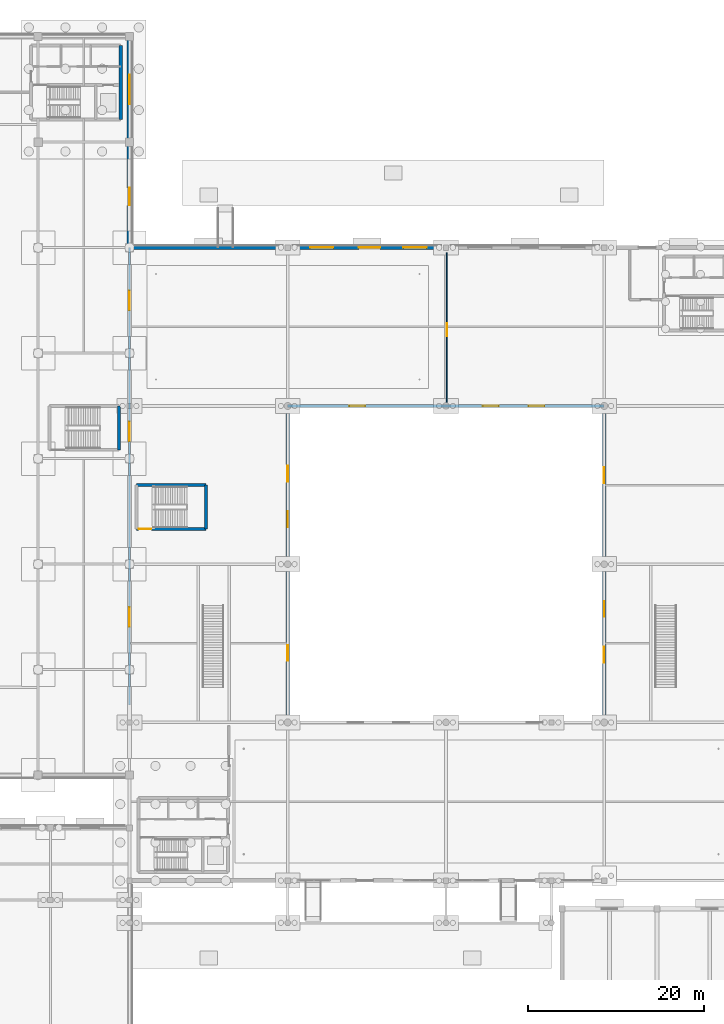
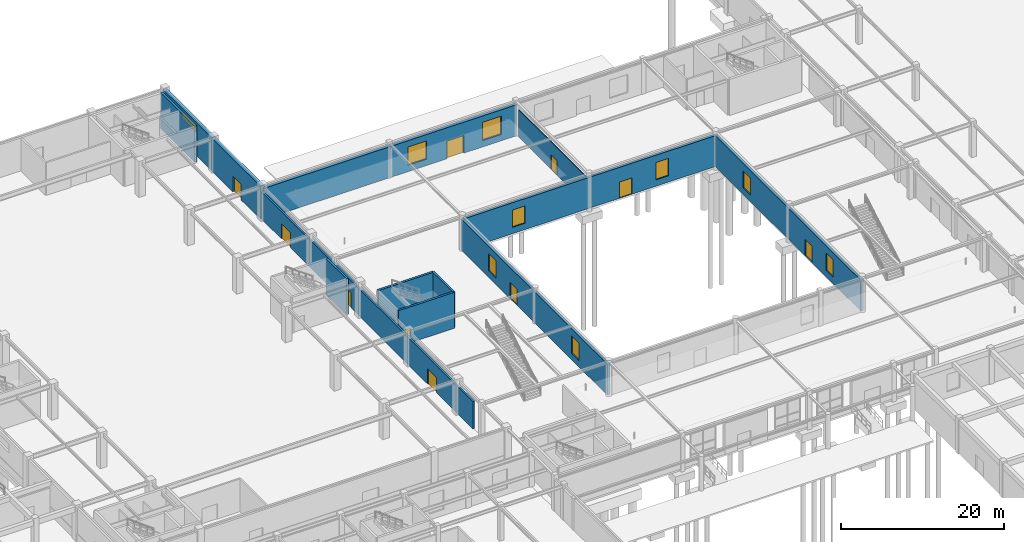
# One storey, part 28 of 53: 14 walls, 10 doors, 9 windows, 19 openings.
"""IFC4 building model written with IfcOpenShell, lengths in metres."""

import ifcopenshell
import ifcopenshell.guid

model = None  # the IFC model being written
_history = None  # IfcOwnerHistory: only IFC2X3 demands one
_inside = {}  # id of a spatial element -> (the spatial element, [elements in it])
_under = {}  # id of a project, library or spatial element -> (it, [spatial elements below it])
_declared = {}  # id of a project -> (the project, [libraries it declares])
_typed = {}  # id of a type object -> (the type object, [elements of that type])
_made_of = {}  # id of a material, layer set ... -> (it, [elements and type objects made of it])


def new_model(schema):
    """Start an empty IFC model of exactly this schema.

    Asked for "IFC4X3", IfcOpenShell would pick the latest addendum, in which some entities
    have other attributes; the version numbers below select the first issue.
    IFC2X3 requires an IfcOwnerHistory on every rooted entity: one is made here for all.
    """
    global model, _history
    if schema == "IFC4X3":
        model = ifcopenshell.file(schema_version=(4, 3, 0, 0))
    else:
        model = ifcopenshell.file(schema=schema)
    _inside.clear()
    _under.clear()
    _declared.clear()
    _typed.clear()
    _made_of.clear()
    _history = None
    if model.schema == "IFC2X3":
        org = make("IfcOrganization", Name="unknown")
        user = make(
            "IfcPersonAndOrganization",
            ThePerson=make("IfcPerson", FamilyName="unknown"),
            TheOrganization=org,
        )
        app = make(
            "IfcApplication",
            ApplicationDeveloper=org,
            Version="unknown",
            ApplicationFullName="unknown",
            ApplicationIdentifier="unknown",
        )
        _history = make(
            "IfcOwnerHistory",
            OwningUser=user,
            OwningApplication=app,
            ChangeAction="ADDED",
            CreationDate=0,
        )
    return model


def make(cls, **values):
    """One entity of the class cls with the attributes given. An attribute that is None is left unset."""
    return model.create_entity(
        cls, **{name: value for name, value in values.items() if value is not None}
    )


def rooted(cls, **values):
    """An entity with a GlobalId (a new one), such as an element, a storey or a relation."""
    return make(cls, GlobalId=ifcopenshell.guid.new(), OwnerHistory=_history, **values)


def si_unit(unit_type, name, prefix=None):
    """IfcSIUnit, for example si_unit("LENGTHUNIT", "METRE", prefix="MILLI")."""
    return make("IfcSIUnit", UnitType=unit_type, Prefix=prefix, Name=name)


def derived_unit(unit_type, elements):
    """IfcDerivedUnit: a product of units, each with its exponent."""
    return make(
        "IfcDerivedUnit",
        Elements=[
            make("IfcDerivedUnitElement", Unit=unit, Exponent=power)
            for unit, power in elements
        ],
        UnitType=unit_type,
    )


def assignment(units):
    """IfcUnitAssignment: the units of a project."""
    return None if units is None else make("IfcUnitAssignment", Units=units)


def point(xyz):
    """IfcCartesianPoint."""
    return None if xyz is None else make("IfcCartesianPoint", Coordinates=xyz)


def direction(xyz):
    """IfcDirection."""
    return None if xyz is None else make("IfcDirection", DirectionRatios=xyz)


def frame(location, z_axis=None, x_axis=None):
    """IfcAxis2Placement3D, a coordinate frame: its origin and axes. An axis left out is left unset."""
    return make(
        "IfcAxis2Placement3D",
        Location=point(location),
        Axis=direction(z_axis),
        RefDirection=direction(x_axis),
    )


def frame_2d(location, x_axis=None):
    """IfcAxis2Placement2D, a coordinate frame in the plane: its origin and x axis."""
    return make(
        "IfcAxis2Placement2D", Location=point(location), RefDirection=direction(x_axis)
    )


def origin():
    """The frame at (0, 0, 0) with its axes left unset."""
    return frame((0.0, 0.0, 0.0))


def place(relative_to, where):
    """IfcLocalPlacement: puts the frame where relative to a parent placement (None: the world)."""
    return make(
        "IfcLocalPlacement", PlacementRelTo=relative_to, RelativePlacement=where
    )


def context(
    kind, dimensions, precision=None, world=None, true_north=None, identifier=None
):
    """IfcGeometricRepresentationContext, for example the 3D "Model" context."""
    return make(
        "IfcGeometricRepresentationContext",
        ContextIdentifier=identifier,
        ContextType=kind,
        CoordinateSpaceDimension=dimensions,
        Precision=precision,
        WorldCoordinateSystem=world,
        TrueNorth=true_north,
    )


def subcontext(parent, identifier, kind, view, scale=None):
    """IfcGeometricRepresentationSubContext, for example "Body" below "Model"."""
    return make(
        "IfcGeometricRepresentationSubContext",
        ContextIdentifier=identifier,
        ContextType=kind,
        ParentContext=parent,
        TargetScale=scale,
        TargetView=view,
    )


def project(units=None, contexts=None):
    """IfcProject with its units and contexts."""
    return rooted(
        "IfcProject",
        Name="project",
        RepresentationContexts=contexts,
        UnitsInContext=assignment(units),
    )


def spatial(cls, under=None, at=None, **own):
    """A site, building, storey or space (cls), placed at a placement, below another one or the project."""
    s = rooted(cls, ObjectPlacement=at, **own)
    if under is not None:
        _under.setdefault(under.id(), (under, []))[1].append(s)
    return s


def profile(cls, at=None, kind="AREA", **sizes):
    """A parametric profile (cls). Its sizes go by their IFC names, for example OverallWidth=200.0."""
    return make(cls, ProfileType=kind, Position=at, **sizes)


def rectangle(**sizes):
    """IfcRectangleProfileDef."""
    return profile("IfcRectangleProfileDef", **sizes)


def extrude(swept, where, along, depth):
    """IfcExtrudedAreaSolid: the profile swept, set in the frame where, extruded along a direction by depth."""
    return make(
        "IfcExtrudedAreaSolid",
        SweptArea=swept,
        Position=where,
        ExtrudedDirection=direction(along),
        Depth=depth,
    )


def shape(context_of_items, identifier, shape_type, items):
    """IfcShapeRepresentation: the items that make up one representation, for example the "Body"."""
    return make(
        "IfcShapeRepresentation",
        ContextOfItems=context_of_items,
        RepresentationIdentifier=identifier,
        RepresentationType=shape_type,
        Items=items,
    )


def material(Name=None, Category=None):
    """IfcMaterial."""
    return make("IfcMaterial", Name=Name, Category=Category)


def layer(
    of_material, thickness, ventilated=None, Name=None, Category=None, Priority=None
):
    """IfcMaterialLayer: one layer of a wall or slab, of a material (None: an air gap)."""
    return make(
        "IfcMaterialLayer",
        Material=of_material,
        LayerThickness=thickness,
        IsVentilated=ventilated,
        Name=Name,
        Category=Category,
        Priority=Priority,
    )


def layer_set(layers, Name=None):
    """IfcMaterialLayerSet."""
    return make("IfcMaterialLayerSet", MaterialLayers=layers, LayerSetName=Name)


def made_of(thing, what):
    """Note that an element or type object is made of a material, layer set ...; save() writes the relation."""
    if what is not None:
        _made_of.setdefault(what.id(), (what, []))[1].append(thing)
    return thing


def type_object(cls, material=None, **own):
    """A type object (cls), such as IfcWallType, which elements share."""
    return made_of(rooted(cls, **own), material)


def element(
    cls,
    number,
    at=None,
    inside=None,
    cuts=None,
    type_object=None,
    material=None,
    context=None,
    identifier="Body",
    shape_type=None,
    held_by="IfcProductDefinitionShape",
    body=None,
    shapes=None,
    **own,
):
    """One element of the class cls, such as IfcWall. Its Tag is "e" and its number.

    at: its placement. inside: the storey or other place that contains it. cuts: it is an
    opening in that element (IfcRelVoidsElement). A single representation is given by context,
    identifier, shape_type and body (its items); several are given by shapes. held_by: the class
    of the entity that holds the representations. save() writes the other relations.
    """
    e = rooted(cls, Tag="e%d" % number, ObjectPlacement=at, **own)
    if body is not None:
        shapes = [shape(context, identifier, shape_type, body)]
    if shapes is not None:
        e.Representation = make(held_by, Representations=shapes)
    if inside is not None:
        _inside.setdefault(inside.id(), (inside, []))[1].append(e)
    if cuts is not None:
        rooted(
            "IfcRelVoidsElement", RelatingBuildingElement=cuts, RelatedOpeningElement=e
        )
    if type_object is not None:
        _typed.setdefault(type_object.id(), (type_object, []))[1].append(e)
    return made_of(e, material)


def fill(opening, filler):
    """IfcRelFillsElement: the door or window that sits in an opening."""
    return rooted(
        "IfcRelFillsElement",
        RelatingOpeningElement=opening,
        RelatedBuildingElement=filler,
    )


def aggregate(whole, parts):
    """IfcRelAggregates: a whole, such as a stair, and the parts it consists of."""
    return rooted("IfcRelAggregates", RelatingObject=whole, RelatedObjects=parts)


def save(model, path):
    """Write the relations noted so far, then the file.

    IfcRelAggregates (storeys below a building ...), IfcRelContainedInSpatialStructure (elements
    in a storey), IfcRelDefinesByType, IfcRelAssociatesMaterial and IfcRelDeclares: one each for
    every whole, place, type object, material and project.
    """
    for whole, parts in _under.values():
        aggregate(whole, parts)
    for where, things in _inside.values():
        rooted(
            "IfcRelContainedInSpatialStructure",
            RelatedElements=things,
            RelatingStructure=where,
        )
    for kind, things in _typed.values():
        rooted("IfcRelDefinesByType", RelatedObjects=things, RelatingType=kind)
    for what, things in _made_of.values():
        rooted("IfcRelAssociatesMaterial", RelatedObjects=things, RelatingMaterial=what)
    for by, libraries in _declared.values():
        rooted("IfcRelDeclares", RelatingContext=by, RelatedDefinitions=libraries)
    model.write(path)


model = new_model("IFC4")

# Units and contexts
model_context = context("Model", 3, precision=1e-05, world=origin(), true_north=direction((0.0, 1.0)))
body_context = subcontext(model_context, "Body", "Model", "MODEL_VIEW")
ifc_project = project(units=[si_unit("LENGTHUNIT", "METRE"), si_unit("AREAUNIT", "SQUARE_METRE"), si_unit("VOLUMEUNIT", "CUBIC_METRE"), si_unit("PLANEANGLEUNIT", "RADIAN"), si_unit("MASSUNIT", "GRAM", prefix="KILO"), derived_unit("THERMALTRANSMITTANCEUNIT", [(si_unit("POWERUNIT", "WATT"), 1), (si_unit("LENGTHUNIT", "METRE"), -2), (si_unit("THERMODYNAMICTEMPERATUREUNIT", "KELVIN"), -1)])], contexts=[model_context])

# Site, building, storey
site_placement = place(None, origin())
site = spatial("IfcSite", under=ifc_project, at=site_placement, CompositionType="ELEMENT")
building_placement = place(site_placement, origin())
building = spatial("IfcBuilding", under=site, at=building_placement, Name="Almenara Railside Exhibition Hall", CompositionType="ELEMENT")
storey_placement = place(building_placement, origin())
storey = spatial("IfcBuildingStorey", under=building, at=storey_placement, Name="L00", CompositionType="ELEMENT", Elevation=0.0)

# Walls
ifc_material_1 = material(Name="Concrete C35/45", Category="concrete")
ifc_layer_1 = layer(ifc_material_1, 0.35009765625, Name="Concrete C35/45")
ifc_layer_set_1 = layer_set([ifc_layer_1], Name="Concrete C35/45")
wall_type_1 = type_object("IfcWallType", Name="Core Coupled Shear Wall 350mm C35/45", PredefinedType="SHEAR", material=ifc_layer_set_1)
wall_1_placement = place(storey_placement, frame((65.0, 122.60009765625, 0.0), z_axis=(0.0, 0.0, 1.0), x_axis=(0.0, 1.0, 0.0)))
element("IfcWall", 1, at=wall_1_placement, inside=storey, type_object=wall_type_1, Name="Interior wall 0031", PredefinedType="SHEAR", context=body_context, shape_type="SweptSolid", body=[
    extrude(rectangle(XDim=8.39990234375, YDim=0.35009765625, at=frame_2d((4.199951171875, 0.0))), origin(), (0.0, 0.0, 1.0), 5.39990234375),
])
ifc_material_2 = material(Name="Ochre-white lime-rendered masonry over Concrete C35/45", Category="masonry")
ifc_layer_2 = layer(ifc_material_2, 0.449951171875, Name="Ochre-white lime-rendered masonry over Concrete C35/45")
ifc_layer_set_2 = layer_set([ifc_layer_2], Name="Ochre-white lime-rendered masonry over Concrete C35/45")
wall_type_2 = type_object("IfcWallType", Name="Exterior Civic Stucco Wall 450mm C35/45", PredefinedType="SOLIDWALL", material=ifc_layer_set_2)
wall_2_placement = place(storey_placement, frame((84.0, 108.0, 0.0), z_axis=(0.0, 0.0, 1.0), x_axis=(-1.0, 0.0, 0.0)))
element("IfcWall", 2, at=wall_2_placement, inside=storey, type_object=wall_type_2, Name="Exterior wall 0142", PredefinedType="SOLIDWALL", context=body_context, shape_type="SweptSolid", body=[
    extrude(rectangle(XDim=18.0, YDim=0.449951171875, at=frame_2d((9.0, 0.0))), origin(), (0.0, 0.0, 1.0), 4.64990234375),
])

# Wall, openings, windows, door
wall_3_placement = place(storey_placement, frame((102.0, 108.0, 0.0), z_axis=(0.0, 0.0, 1.0), x_axis=(-1.0, 0.0, 0.0)))
wall_3 = element("IfcWall", 3, at=wall_3_placement, inside=storey, type_object=wall_type_2, Name="Exterior wall 0148", PredefinedType="SOLIDWALL", context=body_context, shape_type="SweptSolid", body=[
    extrude(rectangle(XDim=18.0, YDim=0.449951171875, at=frame_2d((9.0, 0.0))), origin(), (0.0, 0.0, 1.0), 4.64990234375),
])
opening_1_placement = place(wall_3_placement, frame((7.5, 0.0, 0.0)))
opening_1 = element("IfcOpeningElement", 4, at=opening_1_placement, cuts=wall_3, Name="Opening ED-21", PredefinedType="OPENING", context=body_context, shape_type="SweptSolid", body=[
    extrude(rectangle(XDim=2.39990234375, YDim=2.64990234375, at=frame_2d((1.199951171875, 1.324951171875))), frame((0.0, 0.23486328125, 0.0), z_axis=(0.0, -1.0, 0.0), x_axis=(1.0, 0.0, 0.0)), (0.0, 0.0, 1.0), 0.469970703125),
])
opening_2_placement = place(wall_3_placement, frame((2.199951171875, 0.0, 0.949951171875)))
opening_2 = element("IfcOpeningElement", 5, at=opening_2_placement, cuts=wall_3, Name="Opening W-18", PredefinedType="OPENING", context=body_context, shape_type="SweptSolid", body=[
    extrude(rectangle(XDim=2.64990234375, YDim=2.75, at=frame_2d((1.324951171875, 1.375))), frame((0.0, 0.23486328125, 0.0), z_axis=(0.0, -1.0, 0.0), x_axis=(1.0, 0.0, 0.0)), (0.0, 0.0, 1.0), 0.469970703125),
])
opening_3_placement = place(wall_3_placement, frame((12.800048828125, 0.0, 0.949951171875)))
opening_3 = element("IfcOpeningElement", 6, at=opening_3_placement, cuts=wall_3, Name="Opening W-18", PredefinedType="OPENING", context=body_context, shape_type="SweptSolid", body=[
    extrude(rectangle(XDim=2.64990234375, YDim=2.75, at=frame_2d((1.324951171875, 1.375))), frame((0.0, 0.23486328125, 0.0), z_axis=(0.0, -1.0, 0.0), x_axis=(1.0, 0.0, 0.0)), (0.0, 0.0, 1.0), 0.469970703125),
])
ifc_material_3 = material(Name="Bronze-anodised aluminium and low-E double glazing", Category="aluminium")
window_type_1 = type_object("IfcWindowType", Name="Cafe Conservatory Window 2650x2750", PartitioningType="TRIPLE_PANEL_VERTICAL", PredefinedType="WINDOW", material=ifc_material_3)
window_1_placement = place(opening_2_placement, origin())
window_1 = element("IfcWindow", 7, at=window_1_placement, inside=storey, type_object=window_type_1, Name="Window 0029", OverallHeight=2.75, OverallWidth=2.64990234375, PartitioningType="TRIPLE_PANEL_VERTICAL", PredefinedType="WINDOW", context=body_context, shape_type="SweptSolid", body=[
    extrude(rectangle(XDim=2.64990234375, YDim=2.75, at=frame_2d((1.324951171875, 1.375))), frame((0.0, 0.030029296875, 0.0), z_axis=(0.0, -1.0, 0.0), x_axis=(1.0, 0.0, 0.0)), (0.0, 0.0, 1.0), 0.06005859375),
])
fill(opening_2, window_1)
window_2_placement = place(opening_3_placement, origin())
window_2 = element("IfcWindow", 8, at=window_2_placement, inside=storey, type_object=window_type_1, Name="Window 0030", OverallHeight=2.75, OverallWidth=2.64990234375, PartitioningType="TRIPLE_PANEL_VERTICAL", PredefinedType="WINDOW", context=body_context, shape_type="SweptSolid", body=[
    extrude(rectangle(XDim=2.64990234375, YDim=2.75, at=frame_2d((1.324951171875, 1.375))), frame((0.0, 0.030029296875, 0.0), z_axis=(0.0, -1.0, 0.0), x_axis=(1.0, 0.0, 0.0)), (0.0, 0.0, 1.0), 0.06005859375),
])
fill(opening_3, window_2)
ifc_material_4 = material(Name="Bronze-anodised glazed entrance door")
door_type_1 = type_object("IfcDoorType", Name="Grand Civic Portal Double Exit Door 2400x2650", OperationType="NOTDEFINED", PredefinedType="DOOR", material=ifc_material_4)
door_1_placement = place(opening_1_placement, frame((2.39990234375, 0.0, 0.0), z_axis=(0.0, 0.0, 1.0), x_axis=(-1.0, 0.0, 0.0)))
door_1 = element("IfcDoor", 9, at=door_1_placement, inside=storey, type_object=door_type_1, Name="Exterior door ED-21", OperationType="DOUBLE_DOOR_SINGLE_SWING", OverallHeight=2.64990234375, OverallWidth=2.39990234375, PredefinedType="DOOR", context=body_context, shape_type="SweptSolid", body=[
    extrude(rectangle(XDim=2.39990234375, YDim=2.64990234375, at=frame_2d((1.199951171875, 1.324951171875))), frame((0.0, 0.02490234375, 0.0), z_axis=(0.0, -1.0, 0.0), x_axis=(1.0, 0.0, 0.0)), (0.0, 0.0, 1.0), 0.050048828125),
])
fill(opening_1, door_1)

# Wall, openings, door, windows
ifc_layer_3 = layer(ifc_material_2, 0.360107421875, Name="Ochre-white lime-rendered masonry over Concrete C35/45")
ifc_layer_set_3 = layer_set([ifc_layer_3], Name="Ochre-white lime-rendered masonry over Concrete C35/45")
wall_type_3 = type_object("IfcWallType", Name="Exterior Courtyard Galeria Wall 360mm C35/45", PredefinedType="SOLIDWALL", material=ifc_layer_set_3)
wall_4_placement = place(storey_placement, frame((120.0, 54.0, 0.0), z_axis=(0.0, 0.0, 1.0), x_axis=(0.0, 1.0, 0.0)))
wall_4 = element("IfcWall", 10, at=wall_4_placement, inside=storey, type_object=wall_type_3, Name="Exterior wall 0160", PredefinedType="SOLIDWALL", context=body_context, shape_type="SweptSolid", body=[
    extrude(rectangle(XDim=36.0, YDim=0.360107421875, at=frame_2d((18.0, 0.0))), origin(), (0.0, 0.0, 1.0), 4.64990234375),
])
opening_4_placement = place(wall_4_placement, frame((12.0, 0.0, 0.0)))
opening_4 = element("IfcOpeningElement", 11, at=opening_4_placement, cuts=wall_4, Name="Opening CD-02", PredefinedType="OPENING", context=body_context, shape_type="SweptSolid", body=[
    extrude(rectangle(XDim=1.800048828125, YDim=2.449951171875, at=frame_2d((0.89990234375, 1.22509765625))), frame((0.0, 0.18994140625, 0.0), z_axis=(0.0, -1.0, 0.0), x_axis=(1.0, 0.0, 0.0)), (0.0, 0.0, 1.0), 0.380126953125),
])
opening_5_placement = place(wall_4_placement, frame((6.800048828125, 0.0, 0.949951171875)))
opening_5 = element("IfcOpeningElement", 12, at=opening_5_placement, cuts=wall_4, Name="Opening W-05", PredefinedType="OPENING", context=body_context, shape_type="SweptSolid", body=[
    extrude(rectangle(XDim=1.800048828125, YDim=2.60009765625, at=frame_2d((0.89990234375, 1.300048828125))), frame((0.0, 0.18994140625, 0.0), z_axis=(0.0, -1.0, 0.0), x_axis=(1.0, 0.0, 0.0)), (0.0, 0.0, 1.0), 0.380126953125),
])
opening_6_placement = place(wall_4_placement, frame((27.199951171875, 0.0, 0.949951171875)))
opening_6 = element("IfcOpeningElement", 13, at=opening_6_placement, cuts=wall_4, Name="Opening W-05", PredefinedType="OPENING", context=body_context, shape_type="SweptSolid", body=[
    extrude(rectangle(XDim=1.800048828125, YDim=2.60009765625, at=frame_2d((0.89990234375, 1.300048828125))), frame((0.0, 0.18994140625, 0.0), z_axis=(0.0, -1.0, 0.0), x_axis=(1.0, 0.0, 0.0)), (0.0, 0.0, 1.0), 0.380126953125),
])
ifc_material_5 = material(Name="Bronze-anodised glazed courtyard door")
door_type_2 = type_object("IfcDoorType", Name="Courtyard Arcade Double Door 1800x2450", OperationType="NOTDEFINED", PredefinedType="DOOR", material=ifc_material_5)
door_2_placement = place(opening_4_placement, origin())
door_2 = element("IfcDoor", 14, at=door_2_placement, inside=storey, type_object=door_type_2, Name="Exterior door CD-02", OperationType="DOUBLE_DOOR_SINGLE_SWING", OverallHeight=2.449951171875, OverallWidth=1.800048828125, PredefinedType="DOOR", context=body_context, shape_type="SweptSolid", body=[
    extrude(rectangle(XDim=1.800048828125, YDim=2.449951171875, at=frame_2d((0.89990234375, 1.22509765625))), frame((0.0, 0.02490234375, 0.0), z_axis=(0.0, -1.0, 0.0), x_axis=(1.0, 0.0, 0.0)), (0.0, 0.0, 1.0), 0.050048828125),
])
fill(opening_4, door_2)
window_type_2 = type_object("IfcWindowType", Name="Courtyard Deep-Reveal Window 1800x2600", PartitioningType="DOUBLE_PANEL_VERTICAL", PredefinedType="WINDOW", material=ifc_material_3)
window_3_placement = place(opening_5_placement, origin())
window_3 = element("IfcWindow", 15, at=window_3_placement, inside=storey, type_object=window_type_2, Name="Window 0035", OverallHeight=2.60009765625, OverallWidth=1.800048828125, PartitioningType="DOUBLE_PANEL_VERTICAL", PredefinedType="WINDOW", context=body_context, shape_type="SweptSolid", body=[
    extrude(rectangle(XDim=1.800048828125, YDim=2.60009765625, at=frame_2d((0.89990234375, 1.300048828125))), frame((0.0, 0.030029296875, 0.0), z_axis=(0.0, -1.0, 0.0), x_axis=(1.0, 0.0, 0.0)), (0.0, 0.0, 1.0), 0.06005859375),
])
fill(opening_5, window_3)
window_4_placement = place(opening_6_placement, origin())
window_4 = element("IfcWindow", 16, at=window_4_placement, inside=storey, type_object=window_type_2, Name="Window 0036", OverallHeight=2.60009765625, OverallWidth=1.800048828125, PartitioningType="DOUBLE_PANEL_VERTICAL", PredefinedType="WINDOW", context=body_context, shape_type="SweptSolid", body=[
    extrude(rectangle(XDim=1.800048828125, YDim=2.60009765625, at=frame_2d((0.89990234375, 1.300048828125))), frame((0.0, 0.030029296875, 0.0), z_axis=(0.0, -1.0, 0.0), x_axis=(1.0, 0.0, 0.0)), (0.0, 0.0, 1.0), 0.06005859375),
])
fill(opening_6, window_4)

wall_5_placement = place(storey_placement, frame((120.0, 90.0, 0.0), z_axis=(0.0, 0.0, 1.0), x_axis=(-1.0, 0.0, 0.0)))
wall_5 = element("IfcWall", 17, at=wall_5_placement, inside=storey, type_object=wall_type_3, Name="Exterior wall 0162", PredefinedType="SOLIDWALL", context=body_context, shape_type="SweptSolid", body=[
    extrude(rectangle(XDim=36.0, YDim=0.360107421875, at=frame_2d((18.0, 0.0))), origin(), (0.0, 0.0, 1.0), 4.64990234375),
])
opening_7_placement = place(wall_5_placement, frame((12.0, 0.0, 0.0)))
opening_7 = element("IfcOpeningElement", 18, at=opening_7_placement, cuts=wall_5, Name="Opening CD-03", PredefinedType="OPENING", context=body_context, shape_type="SweptSolid", body=[
    extrude(rectangle(XDim=1.800048828125, YDim=2.449951171875, at=frame_2d((0.89990234375, 1.22509765625))), frame((0.0, 0.18994140625, 0.0), z_axis=(0.0, -1.0, 0.0), x_axis=(1.0, 0.0, 0.0)), (0.0, 0.0, 1.0), 0.380126953125),
])
opening_8_placement = place(wall_5_placement, frame((6.800048828125, 0.0, 0.949951171875)))
opening_8 = element("IfcOpeningElement", 19, at=opening_8_placement, cuts=wall_5, Name="Opening W-05", PredefinedType="OPENING", context=body_context, shape_type="SweptSolid", body=[
    extrude(rectangle(XDim=1.800048828125, YDim=2.60009765625, at=frame_2d((0.89990234375, 1.300048828125))), frame((0.0, 0.18994140625, 0.0), z_axis=(0.0, -1.0, 0.0), x_axis=(1.0, 0.0, 0.0)), (0.0, 0.0, 1.0), 0.380126953125),
])
opening_9_placement = place(wall_5_placement, frame((27.199951171875, 0.0, 0.949951171875)))
opening_9 = element("IfcOpeningElement", 20, at=opening_9_placement, cuts=wall_5, Name="Opening W-05", PredefinedType="OPENING", context=body_context, shape_type="SweptSolid", body=[
    extrude(rectangle(XDim=1.800048828125, YDim=2.60009765625, at=frame_2d((0.89990234375, 1.300048828125))), frame((0.0, 0.18994140625, 0.0), z_axis=(0.0, -1.0, 0.0), x_axis=(1.0, 0.0, 0.0)), (0.0, 0.0, 1.0), 0.380126953125),
])
door_3_placement = place(opening_7_placement, origin())
door_3 = element("IfcDoor", 21, at=door_3_placement, inside=storey, type_object=door_type_2, Name="Exterior door CD-03", OperationType="DOUBLE_DOOR_SINGLE_SWING", OverallHeight=2.449951171875, OverallWidth=1.800048828125, PredefinedType="DOOR", context=body_context, shape_type="SweptSolid", body=[
    extrude(rectangle(XDim=1.800048828125, YDim=2.449951171875, at=frame_2d((0.89990234375, 1.22509765625))), frame((0.0, 0.02490234375, 0.0), z_axis=(0.0, -1.0, 0.0), x_axis=(1.0, 0.0, 0.0)), (0.0, 0.0, 1.0), 0.050048828125),
])
fill(opening_7, door_3)
window_5_placement = place(opening_8_placement, origin())
window_5 = element("IfcWindow", 22, at=window_5_placement, inside=storey, type_object=window_type_2, Name="Window 0037", OverallHeight=2.60009765625, OverallWidth=1.800048828125, PartitioningType="DOUBLE_PANEL_VERTICAL", PredefinedType="WINDOW", context=body_context, shape_type="SweptSolid", body=[
    extrude(rectangle(XDim=1.800048828125, YDim=2.60009765625, at=frame_2d((0.89990234375, 1.300048828125))), frame((0.0, 0.030029296875, 0.0), z_axis=(0.0, -1.0, 0.0), x_axis=(1.0, 0.0, 0.0)), (0.0, 0.0, 1.0), 0.06005859375),
])
fill(opening_8, window_5)
window_6_placement = place(opening_9_placement, origin())
window_6 = element("IfcWindow", 23, at=window_6_placement, inside=storey, type_object=window_type_2, Name="Window 0038", OverallHeight=2.60009765625, OverallWidth=1.800048828125, PartitioningType="DOUBLE_PANEL_VERTICAL", PredefinedType="WINDOW", context=body_context, shape_type="SweptSolid", body=[
    extrude(rectangle(XDim=1.800048828125, YDim=2.60009765625, at=frame_2d((0.89990234375, 1.300048828125))), frame((0.0, 0.030029296875, 0.0), z_axis=(0.0, -1.0, 0.0), x_axis=(1.0, 0.0, 0.0)), (0.0, 0.0, 1.0), 0.06005859375),
])
fill(opening_9, window_6)

wall_6_placement = place(storey_placement, frame((84.0, 90.0, 0.0), z_axis=(0.0, 0.0, 1.0), x_axis=(0.0, -1.0, 0.0)))
wall_6 = element("IfcWall", 24, at=wall_6_placement, inside=storey, type_object=wall_type_3, Name="Exterior wall 0164", PredefinedType="SOLIDWALL", context=body_context, shape_type="SweptSolid", body=[
    extrude(rectangle(XDim=36.0, YDim=0.360107421875, at=frame_2d((18.0, 0.0))), origin(), (0.0, 0.0, 1.0), 4.64990234375),
])
opening_10_placement = place(wall_6_placement, frame((12.0, 0.0, 0.0)))
opening_10 = element("IfcOpeningElement", 25, at=opening_10_placement, cuts=wall_6, Name="Opening CD-04", PredefinedType="OPENING", context=body_context, shape_type="SweptSolid", body=[
    extrude(rectangle(XDim=1.800048828125, YDim=2.449951171875, at=frame_2d((0.89990234375, 1.22509765625))), frame((0.0, 0.18994140625, 0.0), z_axis=(0.0, -1.0, 0.0), x_axis=(1.0, 0.0, 0.0)), (0.0, 0.0, 1.0), 0.380126953125),
])
opening_11_placement = place(wall_6_placement, frame((6.800048828125, 0.0, 0.949951171875)))
opening_11 = element("IfcOpeningElement", 26, at=opening_11_placement, cuts=wall_6, Name="Opening W-05", PredefinedType="OPENING", context=body_context, shape_type="SweptSolid", body=[
    extrude(rectangle(XDim=1.800048828125, YDim=2.60009765625, at=frame_2d((0.89990234375, 1.300048828125))), frame((0.0, 0.18994140625, 0.0), z_axis=(0.0, -1.0, 0.0), x_axis=(1.0, 0.0, 0.0)), (0.0, 0.0, 1.0), 0.380126953125),
])
opening_12_placement = place(wall_6_placement, frame((27.199951171875, 0.0, 0.949951171875)))
opening_12 = element("IfcOpeningElement", 27, at=opening_12_placement, cuts=wall_6, Name="Opening W-05", PredefinedType="OPENING", context=body_context, shape_type="SweptSolid", body=[
    extrude(rectangle(XDim=1.800048828125, YDim=2.60009765625, at=frame_2d((0.89990234375, 1.300048828125))), frame((0.0, 0.18994140625, 0.0), z_axis=(0.0, -1.0, 0.0), x_axis=(1.0, 0.0, 0.0)), (0.0, 0.0, 1.0), 0.380126953125),
])
door_4_placement = place(opening_10_placement, origin())
door_4 = element("IfcDoor", 28, at=door_4_placement, inside=storey, type_object=door_type_2, Name="Exterior door CD-04", OperationType="DOUBLE_DOOR_SINGLE_SWING", OverallHeight=2.449951171875, OverallWidth=1.800048828125, PredefinedType="DOOR", context=body_context, shape_type="SweptSolid", body=[
    extrude(rectangle(XDim=1.800048828125, YDim=2.449951171875, at=frame_2d((0.89990234375, 1.22509765625))), frame((0.0, 0.02490234375, 0.0), z_axis=(0.0, -1.0, 0.0), x_axis=(1.0, 0.0, 0.0)), (0.0, 0.0, 1.0), 0.050048828125),
])
fill(opening_10, door_4)
window_7_placement = place(opening_11_placement, origin())
window_7 = element("IfcWindow", 29, at=window_7_placement, inside=storey, type_object=window_type_2, Name="Window 0039", OverallHeight=2.60009765625, OverallWidth=1.800048828125, PartitioningType="DOUBLE_PANEL_VERTICAL", PredefinedType="WINDOW", context=body_context, shape_type="SweptSolid", body=[
    extrude(rectangle(XDim=1.800048828125, YDim=2.60009765625, at=frame_2d((0.89990234375, 1.300048828125))), frame((0.0, 0.030029296875, 0.0), z_axis=(0.0, -1.0, 0.0), x_axis=(1.0, 0.0, 0.0)), (0.0, 0.0, 1.0), 0.06005859375),
])
fill(opening_11, window_7)
window_8_placement = place(opening_12_placement, origin())
window_8 = element("IfcWindow", 30, at=window_8_placement, inside=storey, type_object=window_type_2, Name="Window 0040", OverallHeight=2.60009765625, OverallWidth=1.800048828125, PartitioningType="DOUBLE_PANEL_VERTICAL", PredefinedType="WINDOW", context=body_context, shape_type="SweptSolid", body=[
    extrude(rectangle(XDim=1.800048828125, YDim=2.60009765625, at=frame_2d((0.89990234375, 1.300048828125))), frame((0.0, 0.030029296875, 0.0), z_axis=(0.0, -1.0, 0.0), x_axis=(1.0, 0.0, 0.0)), (0.0, 0.0, 1.0), 0.06005859375),
])
fill(opening_12, window_8)

# Wall, opening, door
ifc_layer_4 = layer(ifc_material_2, 0.5400390625, Name="Ochre-white lime-rendered masonry over Concrete C35/45")
ifc_layer_set_4 = layer_set([ifc_layer_4], Name="Ochre-white lime-rendered masonry over Concrete C35/45")
wall_type_4 = type_object("IfcWallType", Name="Exterior West Hall Thermal Wall 540mm C35/45", PredefinedType="SOLIDWALL", material=ifc_layer_set_4)
wall_7_placement = place(storey_placement, frame((66.0, 108.0, 0.0), z_axis=(0.0, 0.0, 1.0), x_axis=(0.0, 1.0, 0.0)))
wall_7 = element("IfcWall", 31, at=wall_7_placement, inside=storey, type_object=wall_type_4, Name="Exterior wall 0046", PredefinedType="SOLIDWALL", context=body_context, shape_type="SweptSolid", body=[
    extrude(rectangle(XDim=12.0, YDim=0.5400390625, at=frame_2d((6.0, 0.0))), origin(), (0.0, 0.0, 1.0), 4.949951171875),
])
opening_13_placement = place(wall_7_placement, frame((4.800048828125, 0.0, 0.0)))
opening_13 = element("IfcOpeningElement", 32, at=opening_13_placement, cuts=wall_7, Name="Opening ED-03", PredefinedType="OPENING", context=body_context, shape_type="SweptSolid", body=[
    extrude(rectangle(XDim=2.0, YDim=2.39990234375, at=frame_2d((1.0, 1.199951171875))), frame((0.0, 0.280029296875, 0.0), z_axis=(0.0, -1.0, 0.0), x_axis=(1.0, 0.0, 0.0)), (0.0, 0.0, 1.0), 0.56005859375),
])
ifc_material_6 = material(Name="Bronze-anodised glazed escape door")
door_type_3 = type_object("IfcDoorType", Name="Pavilion Double Escape Exit Door 2000x2400", OperationType="NOTDEFINED", PredefinedType="DOOR", material=ifc_material_6)
door_5_placement = place(opening_13_placement, frame((2.0, 0.0, 0.0), z_axis=(0.0, 0.0, 1.0), x_axis=(-1.0, 0.0, 0.0)))
door_5 = element("IfcDoor", 33, at=door_5_placement, inside=storey, type_object=door_type_3, Name="Exterior door ED-03", OperationType="DOUBLE_DOOR_SINGLE_SWING", OverallHeight=2.39990234375, OverallWidth=2.0, PredefinedType="DOOR", context=body_context, shape_type="SweptSolid", body=[
    extrude(rectangle(XDim=2.0, YDim=2.39990234375, at=frame_2d((1.0, 1.199951171875))), frame((0.0, 0.02490234375, 0.0), z_axis=(0.0, -1.0, 0.0), x_axis=(1.0, 0.0, 0.0)), (0.0, 0.0, 1.0), 0.050048828125),
])
fill(opening_13, door_5)

# Wall, opening, window
wall_8_placement = place(storey_placement, frame((66.0, 120.0, 0.0), z_axis=(0.0, 0.0, 1.0), x_axis=(0.0, 1.0, 0.0)))
wall_8 = element("IfcWall", 34, at=wall_8_placement, inside=storey, type_object=wall_type_4, Name="Exterior wall 0052", PredefinedType="SOLIDWALL", context=body_context, shape_type="SweptSolid", body=[
    extrude(rectangle(XDim=12.0, YDim=0.5400390625, at=frame_2d((6.0, 0.0))), origin(), (0.0, 0.0, 1.0), 4.949951171875),
])
opening_14_placement = place(wall_8_placement, frame((4.300048828125, 0.0, 3.10009765625)))
opening_14 = element("IfcOpeningElement", 35, at=opening_14_placement, cuts=wall_8, Name="Opening W-14", PredefinedType="OPENING", context=body_context, shape_type="SweptSolid", body=[
    extrude(rectangle(XDim=3.39990234375, YDim=1.25, at=frame_2d((1.699951171875, 0.625))), frame((0.0, 0.280029296875, 0.0), z_axis=(0.0, -1.0, 0.0), x_axis=(1.0, 0.0, 0.0)), (0.0, 0.0, 1.0), 0.56005859375),
])
window_type_3 = type_object("IfcWindowType", Name="Hall High-Level Clerestory Window 3400x1250", PartitioningType="TRIPLE_PANEL_HORIZONTAL", PredefinedType="WINDOW", material=ifc_material_3)
window_9_placement = place(opening_14_placement, origin())
window_9 = element("IfcWindow", 36, at=window_9_placement, inside=storey, type_object=window_type_3, Name="Window 0013", OverallHeight=1.25, OverallWidth=3.39990234375, PartitioningType="TRIPLE_PANEL_HORIZONTAL", PredefinedType="WINDOW", context=body_context, shape_type="SweptSolid", body=[
    extrude(rectangle(XDim=3.39990234375, YDim=1.25, at=frame_2d((1.699951171875, 0.625))), frame((0.0, 0.030029296875, 0.0), z_axis=(0.0, -1.0, 0.0), x_axis=(1.0, 0.0, 0.0)), (0.0, 0.0, 1.0), 0.06005859375),
])
fill(opening_14, window_9)

# Wall, openings, doors
ifc_layer_5 = layer(ifc_material_1, 0.260009765625, Name="Concrete C35/45")
ifc_layer_set_5 = layer_set([ifc_layer_5], Name="Concrete C35/45")
wall_type_5 = type_object("IfcWallType", Name="Hall Fire Division Wall 260mm C35/45", PredefinedType="SOLIDWALL", material=ifc_layer_set_5)
wall_9_placement = place(storey_placement, frame((66.0, 56.0, 0.0), z_axis=(0.0, 0.0, 1.0), x_axis=(0.0, 1.0, 0.0)))
wall_9 = element("IfcWall", 37, at=wall_9_placement, inside=storey, type_object=wall_type_5, Name="Interior wall 0359", PredefinedType="SOLIDWALL", context=body_context, shape_type="SweptSolid", body=[
    extrude(rectangle(XDim=52.0, YDim=0.260009765625, at=frame_2d((26.0, 0.0))), origin(), (0.0, 0.0, 1.0), 4.10009765625),
])
opening_15_placement = place(wall_9_placement, frame((8.89990234375, 0.0, 0.0)))
opening_15 = element("IfcOpeningElement", 38, at=opening_15_placement, cuts=wall_9, Name="Opening FD-22", PredefinedType="OPENING", context=body_context, shape_type="SweptSolid", body=[
    extrude(rectangle(XDim=2.199951171875, YDim=2.300048828125, at=frame_2d((1.10009765625, 1.14990234375))), frame((0.0, 0.139892578125, 0.0), z_axis=(0.0, -1.0, 0.0), x_axis=(1.0, 0.0, 0.0)), (0.0, 0.0, 1.0), 0.280029296875),
])
opening_16_placement = place(wall_9_placement, frame((30.0, 0.0, 0.0)))
opening_16 = element("IfcOpeningElement", 39, at=opening_16_placement, cuts=wall_9, Name="Opening FD-22", PredefinedType="OPENING", context=body_context, shape_type="SweptSolid", body=[
    extrude(rectangle(XDim=2.199951171875, YDim=2.300048828125, at=frame_2d((1.10009765625, 1.14990234375))), frame((0.0, 0.139892578125, 0.0), z_axis=(0.0, -1.0, 0.0), x_axis=(1.0, 0.0, 0.0)), (0.0, 0.0, 1.0), 0.280029296875),
])
opening_17_placement = place(wall_9_placement, frame((44.89990234375, 0.0, 0.0)))
opening_17 = element("IfcOpeningElement", 40, at=opening_17_placement, cuts=wall_9, Name="Opening FD-22", PredefinedType="OPENING", context=body_context, shape_type="SweptSolid", body=[
    extrude(rectangle(XDim=2.199951171875, YDim=2.300048828125, at=frame_2d((1.10009765625, 1.14990234375))), frame((0.0, 0.139892578125, 0.0), z_axis=(0.0, -1.0, 0.0), x_axis=(1.0, 0.0, 0.0)), (0.0, 0.0, 1.0), 0.280029296875),
])
ifc_material_7 = material(Name="Steel-framed fire-rated timber door", Category="steel")
door_type_4 = type_object("IfcDoorType", Name="Hall Escape Stair Double Door 2200x2300 EI60", OperationType="NOTDEFINED", PredefinedType="DOOR", material=ifc_material_7)
door_6_placement = place(opening_15_placement, origin())
door_6 = element("IfcDoor", 41, at=door_6_placement, inside=storey, type_object=door_type_4, Name="Interior door FD-22-210", OperationType="DOUBLE_DOOR_SINGLE_SWING", OverallHeight=2.300048828125, OverallWidth=2.199951171875, PredefinedType="DOOR", context=body_context, shape_type="SweptSolid", body=[
    extrude(rectangle(XDim=2.199951171875, YDim=2.300048828125, at=frame_2d((1.10009765625, 1.14990234375))), frame((0.0, 0.02490234375, 0.0), z_axis=(0.0, -1.0, 0.0), x_axis=(1.0, 0.0, 0.0)), (0.0, 0.0, 1.0), 0.050048828125),
])
fill(opening_15, door_6)
door_7_placement = place(opening_16_placement, origin())
door_7 = element("IfcDoor", 42, at=door_7_placement, inside=storey, type_object=door_type_4, Name="Interior door FD-22-211", OperationType="DOUBLE_DOOR_SINGLE_SWING", OverallHeight=2.300048828125, OverallWidth=2.199951171875, PredefinedType="DOOR", context=body_context, shape_type="SweptSolid", body=[
    extrude(rectangle(XDim=2.199951171875, YDim=2.300048828125, at=frame_2d((1.10009765625, 1.14990234375))), frame((0.0, 0.02490234375, 0.0), z_axis=(0.0, -1.0, 0.0), x_axis=(1.0, 0.0, 0.0)), (0.0, 0.0, 1.0), 0.050048828125),
])
fill(opening_16, door_7)
door_8_placement = place(opening_17_placement, origin())
door_8 = element("IfcDoor", 43, at=door_8_placement, inside=storey, type_object=door_type_4, Name="Interior door FD-22-212", OperationType="DOUBLE_DOOR_SINGLE_SWING", OverallHeight=2.300048828125, OverallWidth=2.199951171875, PredefinedType="DOOR", context=body_context, shape_type="SweptSolid", body=[
    extrude(rectangle(XDim=2.199951171875, YDim=2.300048828125, at=frame_2d((1.10009765625, 1.14990234375))), frame((0.0, 0.02490234375, 0.0), z_axis=(0.0, -1.0, 0.0), x_axis=(1.0, 0.0, 0.0)), (0.0, 0.0, 1.0), 0.050048828125),
])
fill(opening_17, door_8)

# Wall, opening, door
ifc_material_8 = material(Name="Timber and laminated glass partition", Category="wood")
ifc_layer_6 = layer(ifc_material_8, 0.114990234375, Name="Timber and laminated glass partition")
ifc_layer_set_6 = layer_set([ifc_layer_6], Name="Timber and laminated glass partition")
wall_type_6 = type_object("IfcWallType", Name="Office Glazed Partition 115mm", PredefinedType="PARTITIONING", material=ifc_layer_set_6)
wall_10_placement = place(storey_placement, frame((102.10009765625, 90.39990234375, 0.0), z_axis=(0.0, 0.0, 1.0), x_axis=(0.0, 1.0, 0.0)))
wall_10 = element("IfcWall", 44, at=wall_10_placement, inside=storey, type_object=wall_type_6, Name="Interior wall 0365", PredefinedType="PARTITIONING", context=body_context, shape_type="SweptSolid", body=[
    extrude(rectangle(XDim=17.0, YDim=0.114990234375, at=frame_2d((8.5, 0.0))), origin(), (0.0, 0.0, 1.0), 4.10009765625),
])
opening_18_placement = place(wall_10_placement, frame((7.5, 0.0, 0.0)))
opening_18 = element("IfcOpeningElement", 45, at=opening_18_placement, cuts=wall_10, Name="Opening ID-15", PredefinedType="OPENING", context=body_context, shape_type="SweptSolid", body=[
    extrude(rectangle(XDim=1.5, YDim=2.199951171875, at=frame_2d((0.75, 1.10009765625))), frame((0.0, 0.0673828125, 0.0), z_axis=(0.0, -1.0, 0.0), x_axis=(1.0, 0.0, 0.0)), (0.0, 0.0, 1.0), 0.135009765625),
])
ifc_material_9 = material(Name="Iroko hardwood double door", Category="wood")
door_type_5 = type_object("IfcDoorType", Name="Gallery Double Door 1500x2200", OperationType="NOTDEFINED", PredefinedType="DOOR", material=ifc_material_9)
door_9_placement = place(opening_18_placement, origin())
door_9 = element("IfcDoor", 46, at=door_9_placement, inside=storey, type_object=door_type_5, Name="Interior door ID-15-220", OperationType="DOUBLE_DOOR_SINGLE_SWING", OverallHeight=2.199951171875, OverallWidth=1.5, PredefinedType="DOOR", context=body_context, shape_type="SweptSolid", body=[
    extrude(rectangle(XDim=1.5, YDim=2.199951171875, at=frame_2d((0.75, 1.10009765625))), frame((0.0, 0.02490234375, 0.0), z_axis=(0.0, -1.0, 0.0), x_axis=(1.0, 0.0, 0.0)), (0.0, 0.0, 1.0), 0.050048828125),
])
fill(opening_18, door_9)

# Wall
ifc_layer_7 = layer(ifc_material_1, 0.300048828125, Name="Concrete C35/45")
ifc_layer_set_7 = layer_set([ifc_layer_7], Name="Concrete C35/45")
wall_type_7 = type_object("IfcWallType", Name="Stair and Lift Shaft Wall 300mm C35/45", PredefinedType="SHEAR", material=ifc_layer_set_7)
wall_11_placement = place(storey_placement, frame((64.800048828125, 85.0, 0.0), z_axis=(0.0, 0.0, 1.0), x_axis=(0.0, 1.0, 0.0)))
element("IfcWall", 47, at=wall_11_placement, inside=storey, type_object=wall_type_7, Name="Interior wall 0291", PredefinedType="SHEAR", context=body_context, shape_type="SweptSolid", body=[
    extrude(rectangle(XDim=5.0, YDim=0.300048828125, at=frame_2d((2.5, 0.0))), origin(), (0.0, 0.0, 1.0), 5.39990234375),
])

# Wall, opening, door
wall_12_placement = place(storey_placement, frame((66.800048828125, 76.0, 0.0), z_axis=(0.0, 0.0, 1.0), x_axis=(1.0, 0.0, 0.0)))
wall_12 = element("IfcWall", 48, at=wall_12_placement, inside=storey, type_object=wall_type_7, Name="Interior wall 0300", PredefinedType="SHEAR", context=body_context, shape_type="SweptSolid", body=[
    extrude(rectangle(XDim=7.89990234375, YDim=0.300048828125, at=frame_2d((3.949951171875, 0.0))), origin(), (0.0, 0.0, 1.0), 5.39990234375),
])
opening_19_placement = place(wall_12_placement, frame((0.25, 0.0, 0.0)))
opening_19 = element("IfcOpeningElement", 49, at=opening_19_placement, cuts=wall_12, Name="Opening FD-145", PredefinedType="OPENING", context=body_context, shape_type="SweptSolid", body=[
    extrude(rectangle(XDim=1.449951171875, YDim=2.14990234375, at=frame_2d((0.72509765625, 1.074951171875))), frame((0.0, 0.159912109375, 0.0), z_axis=(0.0, -1.0, 0.0), x_axis=(1.0, 0.0, 0.0)), (0.0, 0.0, 1.0), 0.320068359375),
])
door_type_6 = type_object("IfcDoorType", Name="Fire Escape Stair Door 1450x2150 EI60", OperationType="NOTDEFINED", PredefinedType="DOOR", material=ifc_material_7)
door_10_placement = place(opening_19_placement, origin())
door_10 = element("IfcDoor", 50, at=door_10_placement, inside=storey, type_object=door_type_6, Name="Interior door FD-145-190", OperationType="DOUBLE_DOOR_SINGLE_SWING", OverallHeight=2.14990234375, OverallWidth=1.449951171875, PredefinedType="DOOR", context=body_context, shape_type="SweptSolid", body=[
    extrude(rectangle(XDim=1.449951171875, YDim=2.14990234375, at=frame_2d((0.72509765625, 1.074951171875))), frame((0.0, 0.02490234375, 0.0), z_axis=(0.0, -1.0, 0.0), x_axis=(1.0, 0.0, 0.0)), (0.0, 0.0, 1.0), 0.050048828125),
])
fill(opening_19, door_10)

# Walls
wall_13_placement = place(storey_placement, frame((74.699951171875, 81.0, 0.0), z_axis=(0.0, 0.0, 1.0), x_axis=(-1.0, 0.0, 0.0)))
element("IfcWall", 51, at=wall_13_placement, inside=storey, type_object=wall_type_7, Name="Interior wall 0301", PredefinedType="SHEAR", context=body_context, shape_type="SweptSolid", body=[
    extrude(rectangle(XDim=7.89990234375, YDim=0.300048828125, at=frame_2d((3.949951171875, 0.0))), origin(), (0.0, 0.0, 1.0), 5.39990234375),
])
wall_14_placement = place(storey_placement, frame((74.699951171875, 76.0, 0.0), z_axis=(0.0, 0.0, 1.0), x_axis=(0.0, 1.0, 0.0)))
element("IfcWall", 52, at=wall_14_placement, inside=storey, type_object=wall_type_7, Name="Interior wall 0303", PredefinedType="SHEAR", context=body_context, shape_type="SweptSolid", body=[
    extrude(rectangle(XDim=5.0, YDim=0.300048828125, at=frame_2d((2.5, 0.0))), origin(), (0.0, 0.0, 1.0), 5.39990234375),
])

save(model, "model.ifc")
